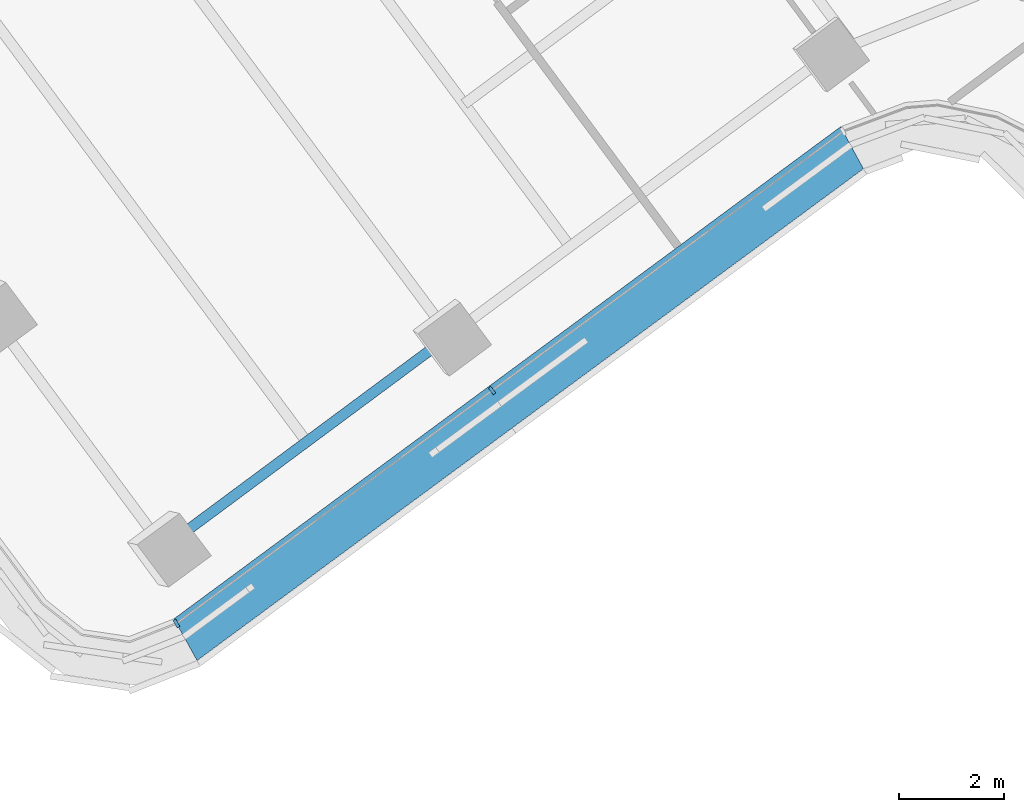
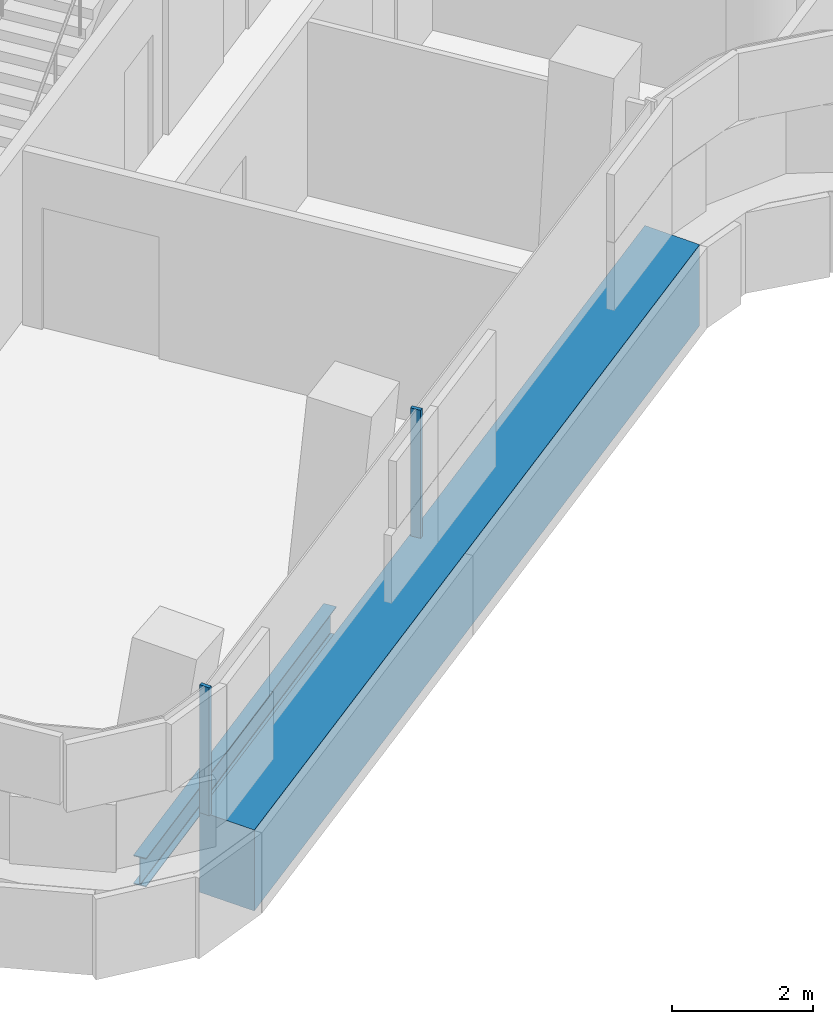
# One storey, part 2 of 32: 3 members, 1 beam, 1 element without a shape of its own.
"""IFC4 building model written with IfcOpenShell, lengths in metres."""

from ifc_helpers import new_model, si_unit, direction, frame, origin, origin_2d, place, context, subcontext, project, spatial, polyline, rectangle, i_section, outline, extrude, material, layer, layer_set, material_profile, profile_set, type_object, element, aggregate, save


model = new_model("IFC4")

# Units and contexts
model_context = context("Model", 3, precision=1e-05, world=origin(), true_north=direction((0.0, 1.0)))
body_context = subcontext(model_context, "Body", "Model", "MODEL_VIEW")
ifc_project = project(units=[si_unit("LENGTHUNIT", "METRE"), si_unit("AREAUNIT", "SQUARE_METRE"), si_unit("VOLUMEUNIT", "CUBIC_METRE"), si_unit("PLANEANGLEUNIT", "RADIAN"), si_unit("MASSUNIT", "GRAM", prefix="KILO")], contexts=[model_context])

# Site, building, storey
site_placement = place(None, origin())
site = spatial("IfcSite", under=ifc_project, at=site_placement, CompositionType="ELEMENT")
building_placement = place(site_placement, origin())
building = spatial("IfcBuilding", under=site, at=building_placement, Name="Tamarind Cross Interchange Tower", CompositionType="ELEMENT")
storey_placement = place(building_placement, frame((0.0, 0.0, 166.75)))
storey = spatial("IfcBuildingStorey", under=building, at=storey_placement, Name="L41", CompositionType="ELEMENT", Elevation=166.75)

# Beam
ifc_material_1 = material(Name="Steel Q355B", Category="steel")
ifc_material_profile_1 = material_profile(ifc_material_1, i_section(OverallWidth=0.198974609375, OverallDepth=0.49609375, WebThickness=0.009033203125, FlangeThickness=0.013916015625, FilletRadius=0.012939453125, at=origin_2d()), Name="HN 496x199x9x14")
ifc_profile_set_1 = profile_set([ifc_material_profile_1], Name="Steel Q355B")
beam_type = type_object("IfcBeamType", Name="Composite beam HN 496x199x9x14 Q355B", PredefinedType="BEAM", material=ifc_profile_set_1)
beam_placement = place(storey_placement, frame((-38.057861328125, -18.759765625, -0.387939453125), z_axis=(0.803159225523, 0.595764432018, 0.0), x_axis=(-0.595764432018, 0.803159225523, 0.0)))
element("IfcBeam", 1, at=beam_placement, inside=storey, type_object=beam_type, Name="Beam W-edgeep2", PredefinedType="BEAM", context=body_context, shape_type="SweptSolid", body=[
    extrude(i_section(OverallWidth=0.198974609375, OverallDepth=0.49609375, WebThickness=0.009033203125, FlangeThickness=0.013916015625, FilletRadius=0.012939453125, at=origin_2d()), origin(), (0.0, 0.0, 1.0), 6.7734375),
])

# Curtain wall, members
ifc_material_2 = material(Name="Aluminium 6063-T6", Category="aluminium")
ifc_layer = layer(ifc_material_2, 0.159912109375)
ifc_layer_set = layer_set([ifc_layer], Name="Aluminium 6063-T6")
curtain_wall_type = type_object("IfcCurtainWallType", Name="Office curtain wall, 9.0 m bays", PredefinedType="NOTDEFINED", material=ifc_layer_set)
curtain_wall_placement = place(storey_placement, origin())
curtain_wall = element("IfcCurtainWall", 2, at=curtain_wall_placement, inside=storey, type_object=curtain_wall_type, Name="CWS-L41-09", PredefinedType="NOTDEFINED")
ifc_material_3 = material(Name="Aluminium and insulated spandrel panel", Category="aluminium")
member_type_1 = type_object("IfcMemberType", Name="Floor-edge blade transom", PredefinedType="USERDEFINED", material=ifc_material_3)
member_1_placement = place(storey_placement, origin())
member_1 = element("IfcMember", 3, at=member_1_placement, type_object=member_type_1, Name="CWT-L41-09", ObjectType="TRANSOM", PredefinedType="USERDEFINED", context=body_context, shape_type="SweptSolid", body=[
    extrude(outline(polyline([(-37.863037109375, -20.109619140625), (-25.17919921875, -10.748291015625), (-24.745361328125, -11.546875), (-37.423095703125, -20.9033203125), (-37.863037109375, -20.109619140625)])), origin(), (0.0, 0.0, 1.0), 1.39990234375),
])
ifc_material_profile_2 = material_profile(ifc_material_2, rectangle(XDim=0.06005859375, YDim=0.159912109375, at=origin_2d()), Name="Mullion CW1")
ifc_profile_set_2 = profile_set([ifc_material_profile_2], Name="Aluminium 6063-T6")
member_type_2 = type_object("IfcMemberType", Name="Mullion CW1", PredefinedType="MULLION", material=ifc_profile_set_2)
member_2_placement = place(storey_placement, frame((-37.814208984375, -20.19775390625, 1.39990234375), z_axis=(0.0, 0.0, 1.0), x_axis=(0.874634476569, 0.484782974532, 0.0)))
member_2 = element("IfcMember", 4, at=member_2_placement, type_object=member_type_2, Name="CWM-L41-09-00", PredefinedType="MULLION", context=body_context, shape_type="SweptSolid", body=[
    extrude(rectangle(XDim=0.06005859375, YDim=0.159912109375, at=origin_2d()), origin(), (0.0, 0.0, 1.0), 2.210205078125),
])
member_3_placement = place(storey_placement, frame((-31.810302734375, -15.7666015625, 1.39990234375), z_axis=(0.0, 0.0, 1.0), x_axis=(0.804598427384, 0.593819308082, 0.0)))
member_3 = element("IfcMember", 5, at=member_3_placement, type_object=member_type_2, Name="CWM-L41-09-01", PredefinedType="MULLION", context=body_context, shape_type="SweptSolid", body=[
    extrude(rectangle(XDim=0.06005859375, YDim=0.159912109375, at=origin_2d()), origin(), (0.0, 0.0, 1.0), 2.210205078125),
])
aggregate(curtain_wall, [member_2, member_3, member_1])

save(model, "model.ifc")
